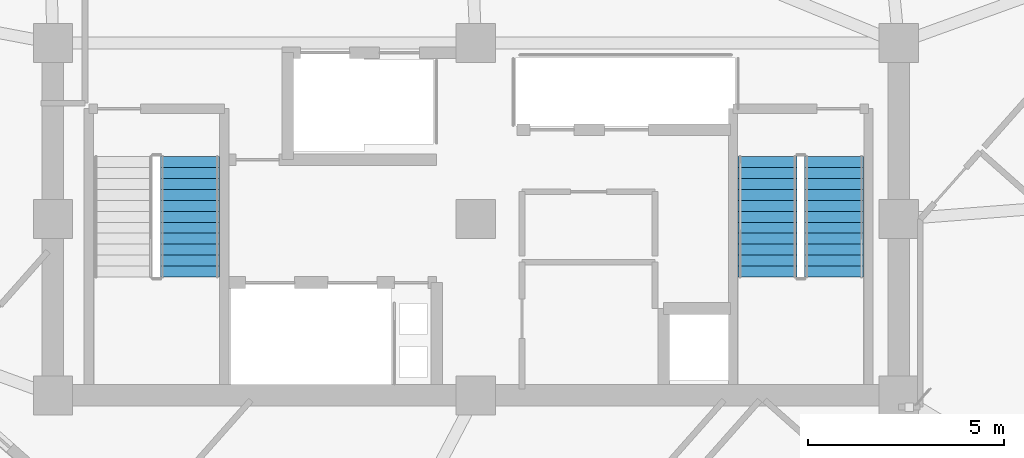
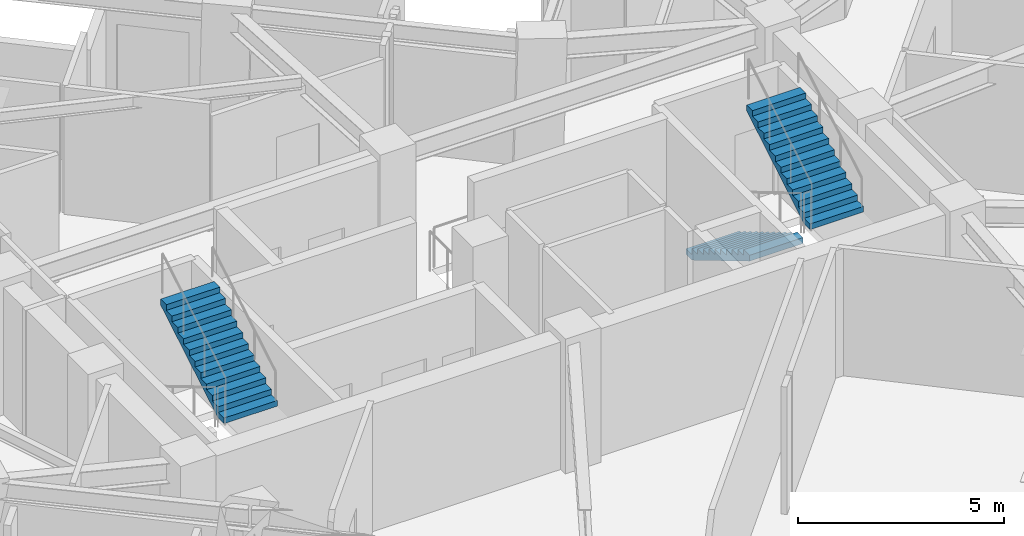
# One storey, part 9 of 13: 3 stair flights, 2 elements without a shape of their own.
"""IFC4 building model written with IfcOpenShell, lengths in metres."""

from ifc_helpers import new_model, si_unit, direction, frame, origin, place, context, subcontext, project, spatial, polyline, outline, extrude, material, type_object, element, aggregate, save


model = new_model("IFC4")

# Units and contexts
model_context = context("Model", 3, precision=1e-05, world=origin(), true_north=direction((0.0, 1.0)))
body_context = subcontext(model_context, "Body", "Model", "MODEL_VIEW")
ifc_project = project(units=[si_unit("LENGTHUNIT", "METRE"), si_unit("AREAUNIT", "SQUARE_METRE"), si_unit("VOLUMEUNIT", "CUBIC_METRE"), si_unit("PLANEANGLEUNIT", "RADIAN"), si_unit("MASSUNIT", "GRAM", prefix="KILO")], contexts=[model_context])

# Site, building, storey
site_placement = place(None, origin())
site = spatial("IfcSite", under=ifc_project, at=site_placement, CompositionType="ELEMENT")
building_placement = place(site_placement, origin())
building = spatial("IfcBuilding", under=site, at=building_placement, Name="Gaonmaruhae Medical Tower", CompositionType="ELEMENT")
storey_placement = place(building_placement, frame((0.0, 0.0, 231.199951171875)))
storey = spatial("IfcBuildingStorey", under=building, at=storey_placement, Name="L55", CompositionType="ELEMENT", Elevation=231.199951171875)

# Stair, stair flight
ifc_material = material(Name="Concrete C40/50", Category="concrete")
stair_type = type_object("IfcStairType", Name="ST-T1 Primary Core Escape Dogleg Stair", PredefinedType="TWO_QUARTER_TURN_STAIR", material=ifc_material)
stair_1_placement = place(storey_placement, origin())
stair_1 = element("IfcStair", 1, at=stair_1_placement, inside=storey, type_object=stair_type, Name="L55 Protected Escape Stair ST-01", PredefinedType="TWO_QUARTER_TURN_STAIR")
stair_flight_type = type_object("IfcStairFlightType", Name="SF-T1 Primary Core Precast Stair Flight", PredefinedType="STRAIGHT", material=ifc_material)
stair_flight_1_placement = place(storey_placement, frame((17.5, 10.820068359375, 2.0), z_axis=(0.0, 0.0, 1.0), x_axis=(0.0, 1.0, 0.0)))
stair_flight_1 = element("IfcStairFlight", 2, at=stair_flight_1_placement, type_object=stair_flight_type, Name="ST-01 flight 2", NumberOfRisers=12, NumberOfTreads=11, PredefinedType="STRAIGHT", RiserHeight=0.166666667, TreadLength=0.28, context=body_context, shape_type="SweptSolid", body=[
    extrude(outline(polyline([(0.0, 0.0), (0.0, 0.166748046875), (0.280029296875, 0.166748046875), (0.280029296875, 0.333251953125), (0.56005859375, 0.333251953125), (0.56005859375, 0.5), (0.840087890625, 0.5), (0.840087890625, 0.666748046875), (1.1201171875, 0.666748046875), (1.1201171875, 0.833251953125), (1.39990234375, 0.833251953125), (1.39990234375, 1.0), (1.679931640625, 1.0), (1.679931640625, 1.166748046875), (1.9599609375, 1.166748046875), (1.9599609375, 1.333251953125), (2.239990234375, 1.333251953125), (2.239990234375, 1.5), (2.52001953125, 1.5), (2.52001953125, 1.666748046875), (2.800048828125, 1.666748046875), (2.800048828125, 1.833251953125), (3.080078125, 1.833251953125), (3.080078125, 2.0), (3.080078125, 1.658935546875), (0.29296875, 0.0), (0.0, 0.0)])), frame((0.0, 0.75, 0.0), z_axis=(0.0, -1.0, 0.0), x_axis=(1.0, 0.0, 0.0)), (0.0, 0.0, 1.0), 1.5),
])
aggregate(stair_1, [stair_flight_1])

# Stair, stair flights
stair_2_placement = place(storey_placement, origin())
stair_2 = element("IfcStair", 3, at=stair_2_placement, inside=storey, type_object=stair_type, Name="L55 Protected Escape Stair ST-02", PredefinedType="TWO_QUARTER_TURN_STAIR")
stair_flight_2_placement = place(storey_placement, frame((32.25, 13.89990234375, 0.0), z_axis=(0.0, 0.0, 1.0), x_axis=(0.0, -1.0, 0.0)))
stair_flight_2 = element("IfcStairFlight", 4, at=stair_flight_2_placement, type_object=stair_flight_type, Name="ST-02 flight 1", NumberOfRisers=12, NumberOfTreads=11, PredefinedType="STRAIGHT", RiserHeight=0.166666667, TreadLength=0.28, context=body_context, shape_type="SweptSolid", body=[
    extrude(outline(polyline([(0.0, 0.0), (0.0, 0.166748046875), (0.280029296875, 0.166748046875), (0.280029296875, 0.333251953125), (0.56005859375, 0.333251953125), (0.56005859375, 0.5), (0.840087890625, 0.5), (0.840087890625, 0.666748046875), (1.1201171875, 0.666748046875), (1.1201171875, 0.833251953125), (1.39990234375, 0.833251953125), (1.39990234375, 1.0), (1.679931640625, 1.0), (1.679931640625, 1.166748046875), (1.9599609375, 1.166748046875), (1.9599609375, 1.333251953125), (2.239990234375, 1.333251953125), (2.239990234375, 1.5), (2.52001953125, 1.5), (2.52001953125, 1.666748046875), (2.800048828125, 1.666748046875), (2.800048828125, 1.833251953125), (3.080078125, 1.833251953125), (3.080078125, 2.0), (3.080078125, 1.658935546875), (0.29296875, 0.0), (0.0, 0.0)])), frame((0.0, 0.75, 0.0), z_axis=(0.0, -1.0, 0.0), x_axis=(1.0, 0.0, 0.0)), (0.0, 0.0, 1.0), 1.5),
])
stair_flight_3_placement = place(storey_placement, frame((33.949951171875, 10.820068359375, 2.0), z_axis=(0.0, 0.0, 1.0), x_axis=(0.0, 1.0, 0.0)))
stair_flight_3 = element("IfcStairFlight", 5, at=stair_flight_3_placement, type_object=stair_flight_type, Name="ST-02 flight 2", NumberOfRisers=12, NumberOfTreads=11, PredefinedType="STRAIGHT", RiserHeight=0.166666667, TreadLength=0.28, context=body_context, shape_type="SweptSolid", body=[
    extrude(outline(polyline([(0.0, 0.0), (0.0, 0.166748046875), (0.280029296875, 0.166748046875), (0.280029296875, 0.333251953125), (0.56005859375, 0.333251953125), (0.56005859375, 0.5), (0.840087890625, 0.5), (0.840087890625, 0.666748046875), (1.1201171875, 0.666748046875), (1.1201171875, 0.833251953125), (1.39990234375, 0.833251953125), (1.39990234375, 1.0), (1.679931640625, 1.0), (1.679931640625, 1.166748046875), (1.9599609375, 1.166748046875), (1.9599609375, 1.333251953125), (2.239990234375, 1.333251953125), (2.239990234375, 1.5), (2.52001953125, 1.5), (2.52001953125, 1.666748046875), (2.800048828125, 1.666748046875), (2.800048828125, 1.833251953125), (3.080078125, 1.833251953125), (3.080078125, 2.0), (3.080078125, 1.658935546875), (0.29296875, 0.0), (0.0, 0.0)])), frame((0.0, 0.75, 0.0), z_axis=(0.0, -1.0, 0.0), x_axis=(1.0, 0.0, 0.0)), (0.0, 0.0, 1.0), 1.5),
])
aggregate(stair_2, [stair_flight_2, stair_flight_3])

save(model, "model.ifc")
